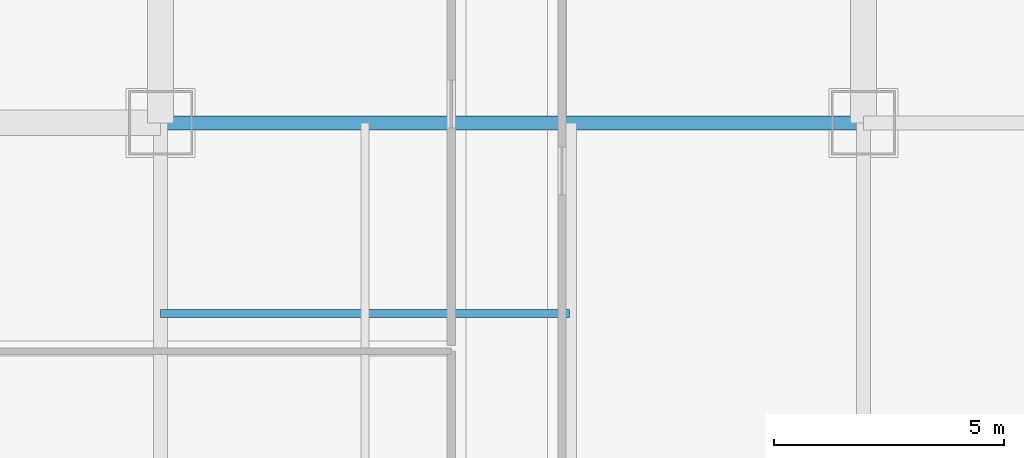
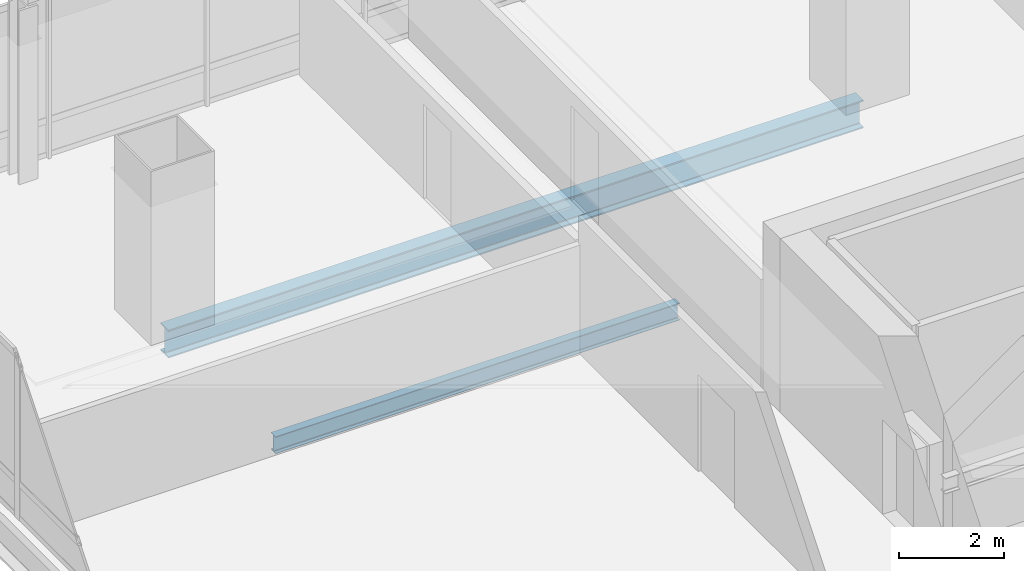
# One storey, part 20 of 38: 2 beams.
"""IFC4 building model written with IfcOpenShell, lengths in metres."""

from ifc_helpers import new_model, si_unit, direction, frame, origin, origin_2d, place, context, subcontext, project, spatial, i_section, extrude, material, material_profile, profile_set, type_object, element, save


model = new_model("IFC4")

# Units and contexts
model_context = context("Model", 3, precision=1e-05, world=origin(), true_north=direction((0.0, 1.0)))
body_context = subcontext(model_context, "Body", "Model", "MODEL_VIEW")
ifc_project = project(units=[si_unit("LENGTHUNIT", "METRE"), si_unit("AREAUNIT", "SQUARE_METRE"), si_unit("VOLUMEUNIT", "CUBIC_METRE"), si_unit("PLANEANGLEUNIT", "RADIAN"), si_unit("MASSUNIT", "GRAM", prefix="KILO")], contexts=[model_context])

# Site, building, storey
site_placement = place(None, origin())
site = spatial("IfcSite", under=ifc_project, at=site_placement, CompositionType="ELEMENT")
building_placement = place(site_placement, origin())
building = spatial("IfcBuilding", under=site, at=building_placement, Name="Punatoya Terracotta Tower", CompositionType="ELEMENT")
storey_placement = place(building_placement, frame((0.0, 0.0, 156.0)))
storey = spatial("IfcBuildingStorey", under=building, at=storey_placement, Name="L36", CompositionType="ELEMENT", Elevation=156.0)

# Beams
ifc_material = material(Name="Steel S355", Category="steel")
ifc_material_profile_1 = material_profile(ifc_material, i_section(OverallWidth=0.300048828125, OverallDepth=0.64990234375, WebThickness=0.01611328125, FlangeThickness=0.031005859375, FilletRadius=0.01806640625, at=origin_2d()))
ifc_profile_set_1 = profile_set([ifc_material_profile_1], Name="Steel S355")
beam_type_1 = type_object("IfcBeamType", Name="BM-PRI-650", PredefinedType="BEAM", material=ifc_profile_set_1)
beam_1_placement = place(storey_placement, frame((-19.10009765625, 17.5, -0.544921875), z_axis=(1.0, 0.0, 0.0), x_axis=(0.0, 1.0, 0.0)))
element("IfcBeam", 1, at=beam_1_placement, inside=storey, type_object=beam_type_1, Name="BM-L36-RG-N1", PredefinedType="BEAM", context=body_context, shape_type="SweptSolid", body=[
    extrude(i_section(OverallWidth=0.300048828125, OverallDepth=0.64990234375, WebThickness=0.01611328125, FlangeThickness=0.031005859375, FilletRadius=0.01806640625, at=origin_2d()), origin(), (0.0, 0.0, 1.0), 15.300048828125),
])
ifc_material_profile_2 = material_profile(ifc_material, i_section(OverallWidth=0.179931640625, OverallDepth=0.39990234375, WebThickness=0.008544921875, FlangeThickness=0.013427734375, FilletRadius=0.01806640625, at=origin_2d()))
ifc_profile_set_2 = profile_set([ifc_material_profile_2], Name="Steel S355")
beam_type_2 = type_object("IfcBeamType", Name="BM-SEC-400", PredefinedType="JOIST", material=ifc_profile_set_2)
beam_2_placement = place(storey_placement, frame((-19.10009765625, 13.35009765625, -0.419921875), z_axis=(1.0, 0.0, 0.0), x_axis=(0.0, 1.0, 0.0)))
element("IfcBeam", 2, at=beam_2_placement, inside=storey, type_object=beam_type_2, Name="BM-L36-SJN-1", PredefinedType="JOIST", context=body_context, shape_type="SweptSolid", body=[
    extrude(i_section(OverallWidth=0.179931640625, OverallDepth=0.39990234375, WebThickness=0.008544921875, FlangeThickness=0.013427734375, FilletRadius=0.01806640625, at=origin_2d()), origin(), (0.0, 0.0, 1.0), 8.900146484375),
])

save(model, "model.ifc")
